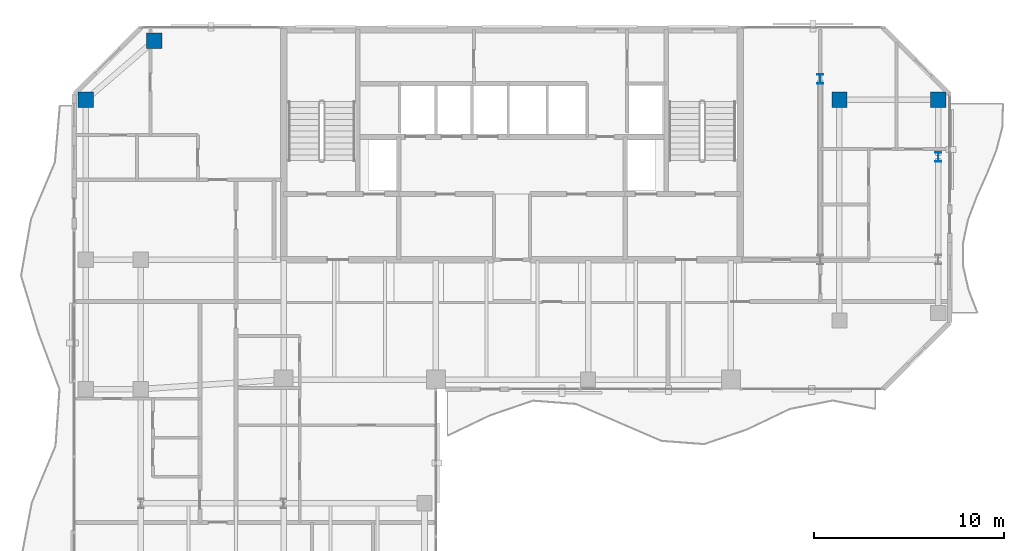
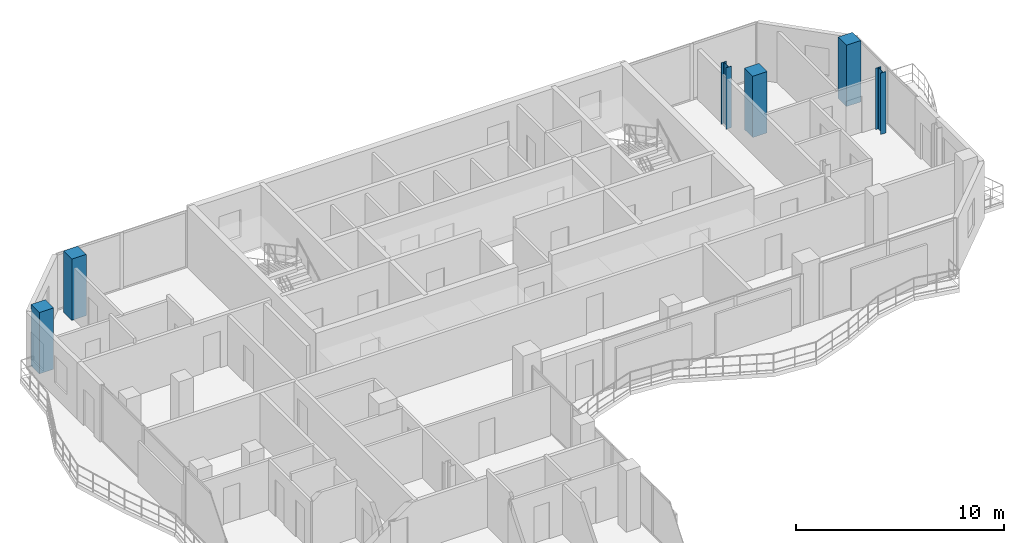
# One storey, part 2 of 23: 6 columns.
"""IFC4 building model written with IfcOpenShell, lengths in metres."""

from ifc_helpers import new_model, si_unit, direction, frame, origin, origin_2d, place, context, subcontext, project, spatial, rectangle, i_section, extrude, material, material_profile, profile_set, type_object, element, save


model = new_model("IFC4")

# Units and contexts
model_context = context("Model", 3, precision=1e-05, world=origin(), true_north=direction((0.0, 1.0)))
body_context = subcontext(model_context, "Body", "Model", "MODEL_VIEW")
ifc_project = project(units=[si_unit("LENGTHUNIT", "METRE"), si_unit("AREAUNIT", "SQUARE_METRE"), si_unit("VOLUMEUNIT", "CUBIC_METRE"), si_unit("PLANEANGLEUNIT", "RADIAN"), si_unit("MASSUNIT", "GRAM", prefix="KILO")], contexts=[model_context])

# Site, building, storey
site_placement = place(None, origin())
site = spatial("IfcSite", under=ifc_project, at=site_placement, CompositionType="ELEMENT")
building_placement = place(site_placement, origin())
building = spatial("IfcBuilding", under=site, at=building_placement, Name="Catumbela Crestline Tower", CompositionType="ELEMENT")
storey_placement = place(building_placement, frame((0.0, 0.0, 168.6)))
storey = spatial("IfcBuildingStorey", under=building, at=storey_placement, Name="L43", CompositionType="ELEMENT", Elevation=168.6)

# Columns
ifc_material_1 = material(Name="Concrete C50/60", Category="concrete")
ifc_material_profile_1 = material_profile(ifc_material_1, rectangle(XDim=0.8, YDim=0.8, at=origin_2d()), Name="RC 800x800")
ifc_profile_set_1 = profile_set([ifc_material_profile_1], Name="Concrete C50/60")
column_type_1 = type_object("IfcColumnType", Name="C-RC800-C50", PredefinedType="COLUMN", material=ifc_profile_set_1)
for number, where, z_axis, x_axis, name in (
    (1, (5.6, 39.2, 0.0), (0.0, 0.0, 1.0), (1.0, 0.0, 0.0), "L43 Column C-05-43 (RC 800x800)"),
    (2, (9.2, 42.3, 0.0), (0.0, 0.0, 1.0), (1.0, 0.0, 0.0), "L43 Column C-08-43 (RC 800x800)"),
    (3, (45.2, 39.2, 0.0), (0.0, 0.0, 1.0), (1.0, 0.0, 0.0), "L43 Column C-46-43 (RC 800x800)"),
    (4, (50.4, 39.2, 0.0), (0.0, 0.0, 1.0), (1.0, 0.0, 0.0), "L43 Column C-51-43 (RC 800x800)"),
):
    element("IfcColumn", number, at=place(storey_placement, frame(where, z_axis=z_axis, x_axis=x_axis)), inside=storey, type_object=column_type_1, Name=name, PredefinedType="COLUMN", context=body_context, shape_type="SweptSolid", body=[
        extrude(rectangle(XDim=0.8, YDim=0.8, at=origin_2d()), origin(), (0.0, 0.0, 1.0), 3.6),
    ])
ifc_material_2 = material(Name="Structural steel S355J2", Category="steel")
ifc_material_profile_2 = material_profile(ifc_material_2, i_section(OverallWidth=0.3, OverallDepth=0.5, WebThickness=0.0145, FlangeThickness=0.028, FilletRadius=0.027, at=origin_2d()), Name="HEB 500")
ifc_profile_set_2 = profile_set([ifc_material_profile_2], Name="Structural steel S355J2")
column_type_2 = type_object("IfcColumnType", Name="C-ST-HEB500", PredefinedType="COLUMN", material=ifc_profile_set_2)
for number, where, z_axis, x_axis, name in (
    (5, (44.2, 40.3, 0.0), (0.0, 0.0, 1.0), (1.0, 0.0, 0.0), "L43 Column CT-46-37 (HEB 500)"),
    (6, (50.4, 36.2, 0.0), (0.0, 0.0, 1.0), (1.0, 0.0, 0.0), "L43 Column CT-51-37 (HEB 500)"),
):
    element("IfcColumn", number, at=place(storey_placement, frame(where, z_axis=z_axis, x_axis=x_axis)), inside=storey, type_object=column_type_2, Name=name, PredefinedType="COLUMN", context=body_context, shape_type="SweptSolid", body=[
        extrude(i_section(OverallWidth=0.3, OverallDepth=0.5, WebThickness=0.0145, FlangeThickness=0.028, FilletRadius=0.027, at=origin_2d()), origin(), (0.0, 0.0, 1.0), 3.6),
    ])

save(model, "model.ifc")
